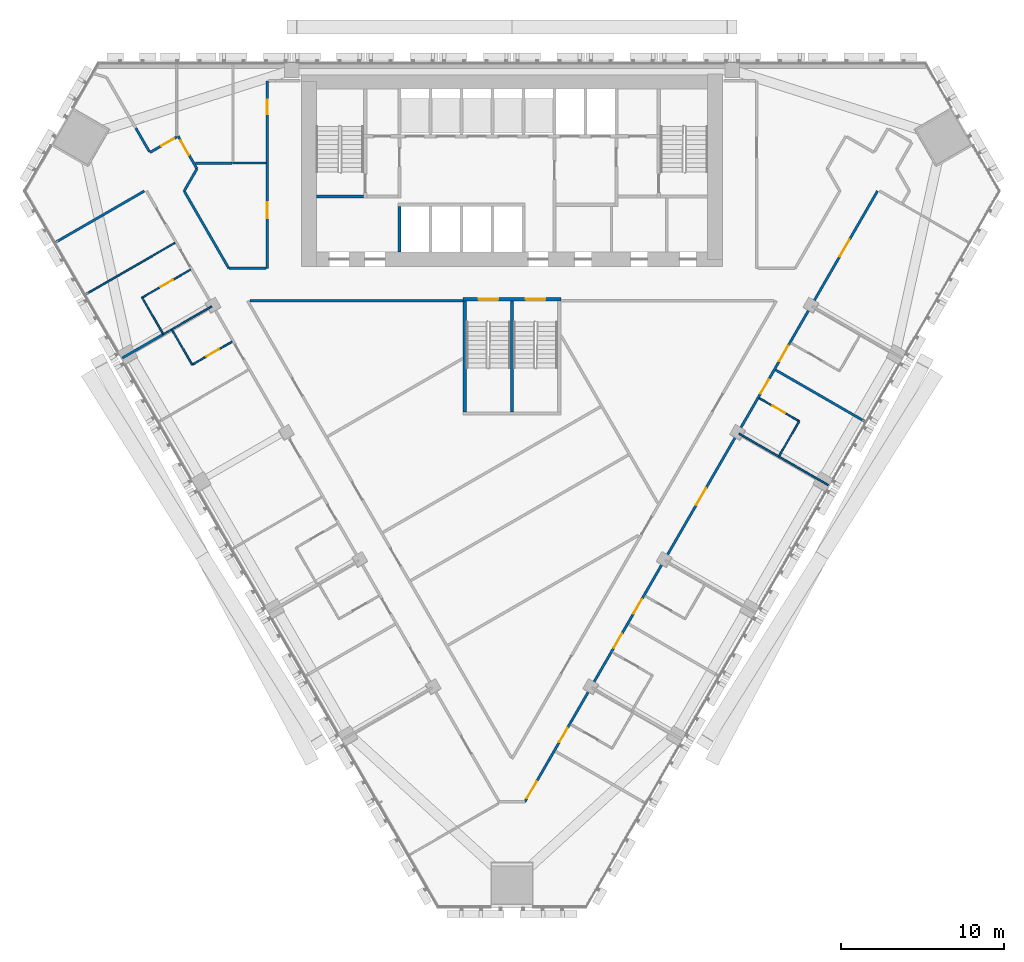
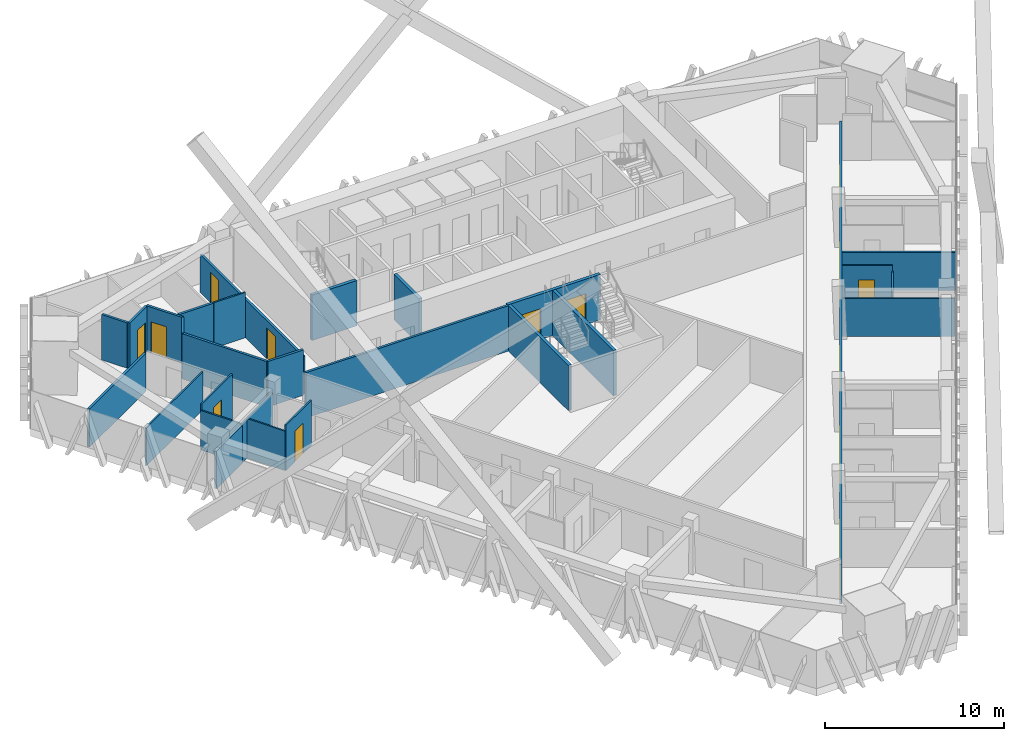
# One storey, part 13 of 19: 28 walls, 17 doors, 17 openings.
"""IFC4 building model written with IfcOpenShell, lengths in metres."""

from ifc_helpers import new_model, si_unit, direction, frame, frame_2d, origin, place, context, subcontext, project, spatial, rectangle, extrude, material, layer, layer_set, type_object, element, fill, save


model = new_model("IFC4")

# Units and contexts
model_context = context("Model", 3, precision=1e-05, world=origin(), true_north=direction((0.0, 1.0)))
body_context = subcontext(model_context, "Body", "Model", "MODEL_VIEW")
ifc_project = project(units=[si_unit("LENGTHUNIT", "METRE"), si_unit("AREAUNIT", "SQUARE_METRE"), si_unit("VOLUMEUNIT", "CUBIC_METRE"), si_unit("PLANEANGLEUNIT", "RADIAN"), si_unit("MASSUNIT", "GRAM", prefix="KILO")], contexts=[model_context])

# Site, building, storey
site_placement = place(None, origin())
site = spatial("IfcSite", under=ifc_project, at=site_placement, CompositionType="ELEMENT")
building_placement = place(site_placement, origin())
building = spatial("IfcBuilding", under=site, at=building_placement, Name="Altiplano Prism Tower", CompositionType="ELEMENT")
storey_placement = place(building_placement, frame((0.0, 0.0, 70.199951171875)))
storey = spatial("IfcBuildingStorey", under=building, at=storey_placement, Name="L17", CompositionType="ELEMENT", Elevation=70.199951171875)

# Wall
ifc_material_1 = material(Name="Plasterboard on steel stud", Category="steel")
ifc_layer_1 = layer(ifc_material_1, 0.10009765625)
ifc_layer_set_1 = layer_set([ifc_layer_1], Name="Plasterboard on steel stud")
wall_type_1 = type_object("IfcWallType", Name="Partition 100 unit", PredefinedType="PARTITIONING", material=ifc_layer_set_1)
wall_1_placement = place(storey_placement, frame((63.583984375, 88.4189453125, 0.0), z_axis=(0.0, 0.0, 1.0), x_axis=(-0.50001820224, 0.866014894461, 0.0)))
element("IfcWall", 1, at=wall_1_placement, inside=storey, type_object=wall_type_1, Name="Partition P02 L17 039", PredefinedType="PARTITIONING", context=body_context, shape_type="SweptSolid", body=[
    extrude(rectangle(XDim=2.52490234375, YDim=0.10009765625, at=frame_2d((1.262451171875, 0.0))), origin(), (0.0, 0.0, 1.0), 2.699951171875),
])

# Wall, opening, door
wall_2_placement = place(storey_placement, frame((62.321533203125, 90.60546875, 0.0), z_axis=(0.0, 0.0, 1.0), x_axis=(0.866001587311, 0.500041249073, 0.0)))
wall_2 = element("IfcWall", 2, at=wall_2_placement, inside=storey, type_object=wall_type_1, Name="Partition P02 L17 040", PredefinedType="PARTITIONING", context=body_context, shape_type="SweptSolid", body=[
    extrude(rectangle(XDim=3.425048828125, YDim=0.10009765625, at=frame_2d((1.71240234375, 0.0))), origin(), (0.0, 0.0, 1.0), 3.10009765625),
])
opening_1_placement = place(wall_2_placement, frame((1.300048828125, 0.0, 0.0)))
opening_1 = element("IfcOpeningElement", 3, at=opening_1_placement, cuts=wall_2, Name="Opening D0652", PredefinedType="OPENING", context=body_context, shape_type="SweptSolid", body=[
    extrude(rectangle(XDim=0.89990234375, YDim=2.10009765625, at=frame_2d((0.449951171875, 1.050048828125))), frame((0.0, 0.060546875, 0.0), z_axis=(0.0, -1.0, 0.0), x_axis=(1.0, 0.0, 0.0)), (0.0, 0.0, 1.0), 0.12109375),
])
ifc_material_2 = material(Name="Timber", Category="wood")
door_type_1 = type_object("IfcDoorType", Name="Accessible ensuite door 900 x 2100", OperationType="NOTDEFINED", PredefinedType="NOTDEFINED", material=ifc_material_2)
door_1_placement = place(opening_1_placement, origin())
door_1 = element("IfcDoor", 4, at=door_1_placement, inside=storey, type_object=door_type_1, Name="Door D0652", OperationType="SINGLE_SWING_RIGHT", OverallHeight=2.10009765625, OverallWidth=0.89990234375, PredefinedType="NOTDEFINED", context=body_context, shape_type="SweptSolid", body=[
    extrude(rectangle(XDim=0.89990234375, YDim=2.10009765625, at=frame_2d((0.449951171875, 1.050048828125))), frame((0.0, 0.02490234375, 0.0), z_axis=(0.0, -1.0, 0.0), x_axis=(1.0, 0.0, 0.0)), (0.0, 0.0, 1.0), 0.050048828125),
])
fill(opening_1, door_1)

wall_3_placement = place(storey_placement, frame((67.837646484375, 87.9013671875, 0.0), z_axis=(0.0, 0.0, 1.0), x_axis=(-0.866011447264, -0.500024172624, 0.0)))
wall_3 = element("IfcWall", 5, at=wall_3_placement, inside=storey, type_object=wall_type_1, Name="Partition P02 L17 043", PredefinedType="PARTITIONING", context=body_context, shape_type="SweptSolid", body=[
    extrude(rectangle(XDim=2.824951171875, YDim=0.10009765625, at=frame_2d((1.41259765625, 0.0))), origin(), (0.0, 0.0, 1.0), 3.10009765625),
])
opening_2_placement = place(wall_3_placement, frame((0.925048828125, 0.0, 0.0)))
opening_2 = element("IfcOpeningElement", 6, at=opening_2_placement, cuts=wall_3, Name="Opening D0654", PredefinedType="OPENING", context=body_context, shape_type="SweptSolid", body=[
    extrude(rectangle(XDim=0.89990234375, YDim=2.10009765625, at=frame_2d((0.449951171875, 1.050048828125))), frame((0.0, 0.060546875, 0.0), z_axis=(0.0, -1.0, 0.0), x_axis=(1.0, 0.0, 0.0)), (0.0, 0.0, 1.0), 0.12109375),
])
door_type_2 = type_object("IfcDoorType", Name="Ensuite door 900 x 2100", OperationType="NOTDEFINED", PredefinedType="NOTDEFINED", material=ifc_material_2)
door_2_placement = place(opening_2_placement, origin())
door_2 = element("IfcDoor", 7, at=door_2_placement, inside=storey, type_object=door_type_2, Name="Door D0654", OperationType="SINGLE_SWING_LEFT", OverallHeight=2.10009765625, OverallWidth=0.89990234375, PredefinedType="NOTDEFINED", context=body_context, shape_type="SweptSolid", body=[
    extrude(rectangle(XDim=0.89990234375, YDim=2.10009765625, at=frame_2d((0.449951171875, 1.050048828125))), frame((0.0, 0.02490234375, 0.0), z_axis=(0.0, -1.0, 0.0), x_axis=(1.0, 0.0, 0.0)), (0.0, 0.0, 1.0), 0.050048828125),
])
fill(opening_2, door_2)

# Wall
wall_4_placement = place(storey_placement, frame((65.39111328125, 86.48876953125, 0.0), z_axis=(0.0, 0.0, 1.0), x_axis=(-0.500018594424, 0.866014668023, 0.0)))
element("IfcWall", 8, at=wall_4_placement, inside=storey, type_object=wall_type_1, Name="Partition P02 L17 044", PredefinedType="PARTITIONING", context=body_context, shape_type="SweptSolid", body=[
    extrude(rectangle(XDim=2.4501953125, YDim=0.10009765625, at=frame_2d((1.22509765625, 0.0))), origin(), (0.0, 0.0, 1.0), 2.699951171875),
])

# Wall, opening, door
wall_5_placement = place(storey_placement, frame((100.162353515625, 84.437255859375, 0.0), z_axis=(0.0, 0.0, 1.0), x_axis=(0.866011447264, -0.500024172624, 0.0)))
wall_5 = element("IfcWall", 9, at=wall_5_placement, inside=storey, type_object=wall_type_1, Name="Partition P02 L17 068", PredefinedType="PARTITIONING", context=body_context, shape_type="SweptSolid", body=[
    extrude(rectangle(XDim=2.824951171875, YDim=0.10009765625, at=frame_2d((1.41259765625, 0.0))), origin(), (0.0, 0.0, 1.0), 3.10009765625),
])
opening_3_placement = place(wall_5_placement, frame((0.925048828125, 0.0, 0.0)))
opening_3 = element("IfcOpeningElement", 10, at=opening_3_placement, cuts=wall_5, Name="Opening D0671", PredefinedType="OPENING", context=body_context, shape_type="SweptSolid", body=[
    extrude(rectangle(XDim=0.89990234375, YDim=2.10009765625, at=frame_2d((0.449951171875, 1.050048828125))), frame((0.0, 0.060546875, 0.0), z_axis=(0.0, -1.0, 0.0), x_axis=(1.0, 0.0, 0.0)), (0.0, 0.0, 1.0), 0.12109375),
])
door_3_placement = place(opening_3_placement, origin())
door_3 = element("IfcDoor", 11, at=door_3_placement, inside=storey, type_object=door_type_2, Name="Door D0671", OperationType="SINGLE_SWING_LEFT", OverallHeight=2.10009765625, OverallWidth=0.89990234375, PredefinedType="NOTDEFINED", context=body_context, shape_type="SweptSolid", body=[
    extrude(rectangle(XDim=0.89990234375, YDim=2.10009765625, at=frame_2d((0.449951171875, 1.050048828125))), frame((0.0, 0.02490234375, 0.0), z_axis=(0.0, -1.0, 0.0), x_axis=(1.0, 0.0, 0.0)), (0.0, 0.0, 1.0), 0.050048828125),
])
fill(opening_3, door_3)

# Walls
wall_6_placement = place(storey_placement, frame((102.60888671875, 83.024658203125, 0.0), z_axis=(0.0, 0.0, 1.0), x_axis=(-0.499987006516, -0.866032905446, 0.0)))
element("IfcWall", 12, at=wall_6_placement, inside=storey, type_object=wall_type_1, Name="Partition P02 L17 069", PredefinedType="PARTITIONING", context=body_context, shape_type="SweptSolid", body=[
    extrude(rectangle(XDim=2.44970703125, YDim=0.10009765625, at=frame_2d((1.224853515625, 0.0))), origin(), (0.0, 0.0, 1.0), 2.699951171875),
])
ifc_layer_2 = layer(ifc_material_1, 0.10009765625)
ifc_layer_set_2 = layer_set([ifc_layer_2], Name="Plasterboard on steel stud")
wall_type_2 = type_object("IfcWallType", Name="Partition 100 wet", PredefinedType="PARTITIONING", material=ifc_layer_set_2)
wall_7_placement = place(storey_placement, frame((67.87255859375, 98.85546875, 0.0), z_axis=(0.0, 0.0, 1.0), x_axis=(1.0, 0.0, 0.0)))
element("IfcWall", 13, at=wall_7_placement, inside=storey, type_object=wall_type_2, Name="Partition P03 L17 032", PredefinedType="PARTITIONING", context=body_context, shape_type="SweptSolid", body=[
    extrude(rectangle(XDim=2.052490234375, YDim=0.10009765625, at=frame_2d((1.0263671875, 0.0))), origin(), (0.0, 0.0, 1.0), 3.10009765625),
])
wall_8_placement = place(storey_placement, frame((58.842529296875, 90.791015625, 0.0), z_axis=(0.0, 0.0, 1.0), x_axis=(0.866025401434, 0.500000004071, 0.0)))
element("IfcWall", 14, at=wall_8_placement, inside=storey, type_object=wall_type_2, Name="Partition P03 L17 038", PredefinedType="PARTITIONING", context=body_context, shape_type="SweptSolid", body=[
    extrude(rectangle(XDim=6.34521484375, YDim=0.10009765625, at=frame_2d((3.172607421875, 0.0))), origin(), (0.0, 0.0, 1.0), 2.60009765625),
])
wall_9_placement = place(storey_placement, frame((63.60400390625, 88.343994140625, 0.0), z_axis=(0.0, 0.0, 1.0), x_axis=(0.866049878924, 0.499957605418, 0.0)))
element("IfcWall", 15, at=wall_9_placement, inside=storey, type_object=wall_type_2, Name="Partition P03 L17 042", PredefinedType="PARTITIONING", context=body_context, shape_type="SweptSolid", body=[
    extrude(rectangle(XDim=3.445068359375, YDim=0.10009765625, at=frame_2d((1.72265625, 0.0))), origin(), (0.0, 0.0, 1.0), 2.699951171875),
])
wall_10_placement = place(storey_placement, frame((104.39013671875, 79.109619140625, 0.0), z_axis=(0.0, 0.0, 1.0), x_axis=(-0.866025537322, 0.499999768706, 0.0)))
element("IfcWall", 16, at=wall_10_placement, inside=storey, type_object=wall_type_2, Name="Partition P03 L17 067", PredefinedType="PARTITIONING", context=body_context, shape_type="SweptSolid", body=[
    extrude(rectangle(XDim=6.3251953125, YDim=0.10009765625, at=frame_2d((3.16259765625, 0.0))), origin(), (0.0, 0.0, 1.0), 2.60009765625),
])

# Wall, opening, door
ifc_layer_3 = layer(ifc_material_1, 0.14990234375)
ifc_layer_set_3 = layer_set([ifc_layer_3], Name="Plasterboard on steel stud")
wall_type_3 = type_object("IfcWallType", Name="Partition 150 corridor", PredefinedType="PARTITIONING", material=ifc_layer_set_3)
wall_11_placement = place(storey_placement, frame((64.446533203125, 100.45263671875, 0.0), z_axis=(0.0, 0.0, 1.0), x_axis=(-0.865753934511, -0.500469904069, 0.0)))
wall_11 = element("IfcWall", 17, at=wall_11_placement, inside=storey, type_object=wall_type_3, Name="Partition P06 L17 003", PredefinedType="PARTITIONING", context=body_context, shape_type="SweptSolid", body=[
    extrude(rectangle(XDim=1.903564453125, YDim=0.14990234375, at=frame_2d((0.95166015625, 0.0))), origin(), (0.0, 0.0, 1.0), 3.10009765625),
])
opening_4_placement = place(wall_11_placement, frame((0.199951171875, 0.0, 0.0)))
opening_4 = element("IfcOpeningElement", 18, at=opening_4_placement, cuts=wall_11, Name="Opening D0647", PredefinedType="OPENING", context=body_context, shape_type="SweptSolid", body=[
    extrude(rectangle(XDim=0.89990234375, YDim=2.10009765625, at=frame_2d((0.449951171875, 1.050048828125))), frame((0.0, 0.08544921875, 0.0), z_axis=(0.0, -1.0, 0.0), x_axis=(1.0, 0.0, 0.0)), (0.0, 0.0, 1.0), 0.1708984375),
])
door_type_3 = type_object("IfcDoorType", Name="Toilet door 900 x 2100", OperationType="NOTDEFINED", PredefinedType="NOTDEFINED", material=ifc_material_2)
door_4_placement = place(opening_4_placement, origin())
door_4 = element("IfcDoor", 19, at=door_4_placement, inside=storey, type_object=door_type_3, Name="Door D0647", OperationType="SINGLE_SWING_RIGHT", OverallHeight=2.10009765625, OverallWidth=0.89990234375, PredefinedType="NOTDEFINED", context=body_context, shape_type="SweptSolid", body=[
    extrude(rectangle(XDim=0.89990234375, YDim=2.10009765625, at=frame_2d((0.449951171875, 1.050048828125))), frame((0.0, 0.02490234375, 0.0), z_axis=(0.0, -1.0, 0.0), x_axis=(1.0, 0.0, 0.0)), (0.0, 0.0, 1.0), 0.050048828125),
])
fill(opening_4, door_4)

# Wall
wall_12_placement = place(storey_placement, frame((62.760986328125, 99.56494140625, 0.0), z_axis=(0.0, 0.0, 1.0), x_axis=(-0.50001794124, 0.866015045157, 0.0)))
element("IfcWall", 20, at=wall_12_placement, inside=storey, type_object=wall_type_3, Name="Partition P06 L17 004", PredefinedType="PARTITIONING", context=body_context, shape_type="SweptSolid", body=[
    extrude(rectangle(XDim=1.64501953125, YDim=0.14990234375, at=frame_2d((0.822509765625, 0.0))), origin(), (0.0, 0.0, 1.0), 3.10009765625),
])

# Wall, opening, door
wall_13_placement = place(storey_placement, frame((65.685302734375, 98.5, 0.0), z_axis=(0.0, 0.0, 1.0), x_axis=(-0.500027479704, 0.866009537788, 0.0)))
wall_13 = element("IfcWall", 21, at=wall_13_placement, inside=storey, type_object=wall_type_3, Name="Partition P06 L17 005", PredefinedType="PARTITIONING", context=body_context, shape_type="SweptSolid", body=[
    extrude(rectangle(XDim=2.309326171875, YDim=0.14990234375, at=frame_2d((1.15478515625, 0.0))), origin(), (0.0, 0.0, 1.0), 3.10009765625),
])
opening_5_placement = place(wall_13_placement, frame((0.992919921875, 0.0, 0.0)))
opening_5 = element("IfcOpeningElement", 22, at=opening_5_placement, cuts=wall_13, Name="Opening D0648", PredefinedType="OPENING", context=body_context, shape_type="SweptSolid", body=[
    extrude(rectangle(XDim=1.0, YDim=2.10009765625, at=frame_2d((0.5, 1.050048828125))), frame((0.0, 0.08544921875, 0.0), z_axis=(0.0, -1.0, 0.0), x_axis=(1.0, 0.0, 0.0)), (0.0, 0.0, 1.0), 0.1708984375),
])
door_type_4 = type_object("IfcDoorType", Name="Store door 1000 x 2100", OperationType="NOTDEFINED", PredefinedType="NOTDEFINED", material=ifc_material_2)
door_5_placement = place(opening_5_placement, origin())
door_5 = element("IfcDoor", 23, at=door_5_placement, inside=storey, type_object=door_type_4, Name="Door D0648", OperationType="SINGLE_SWING_LEFT", OverallHeight=2.10009765625, OverallWidth=1.0, PredefinedType="NOTDEFINED", context=body_context, shape_type="SweptSolid", body=[
    extrude(rectangle(XDim=1.0, YDim=2.10009765625, at=frame_2d((0.5, 1.050048828125))), frame((0.0, 0.02490234375, 0.0), z_axis=(0.0, -1.0, 0.0), x_axis=(1.0, 0.0, 0.0)), (0.0, 0.0, 1.0), 0.050048828125),
])
fill(opening_5, door_5)

# Wall, openings, doors
wall_14_placement = place(storey_placement, frame((70.0, 103.89990234375, 0.0), z_axis=(0.0, 0.0, 1.0), x_axis=(0.0, -1.0, 0.0)))
wall_14 = element("IfcWall", 24, at=wall_14_placement, inside=storey, type_object=wall_type_3, Name="Partition P06 L17 006", PredefinedType="PARTITIONING", context=body_context, shape_type="SweptSolid", body=[
    extrude(rectangle(XDim=11.5, YDim=0.14990234375, at=frame_2d((5.75, 0.0))), origin(), (0.0, 0.0, 1.0), 2.60009765625),
])
opening_6_placement = place(wall_14_placement, frame((1.156005859375, 0.0, 0.0)))
opening_6 = element("IfcOpeningElement", 25, at=opening_6_placement, cuts=wall_14, Name="Opening D0646", PredefinedType="OPENING", context=body_context, shape_type="SweptSolid", body=[
    extrude(rectangle(XDim=0.89990234375, YDim=2.10009765625, at=frame_2d((0.449951171875, 1.050048828125))), frame((0.0, 0.08544921875, 0.0), z_axis=(0.0, -1.0, 0.0), x_axis=(1.0, 0.0, 0.0)), (0.0, 0.0, 1.0), 0.1708984375),
])
opening_7_placement = place(wall_14_placement, frame((7.43505859375, 0.0, 0.0)))
opening_7 = element("IfcOpeningElement", 26, at=opening_7_placement, cuts=wall_14, Name="Opening D0649", PredefinedType="OPENING", context=body_context, shape_type="SweptSolid", body=[
    extrude(rectangle(XDim=1.0, YDim=2.10009765625, at=frame_2d((0.5, 1.050048828125))), frame((0.0, 0.08544921875, 0.0), z_axis=(0.0, -1.0, 0.0), x_axis=(1.0, 0.0, 0.0)), (0.0, 0.0, 1.0), 0.1708984375),
])
door_6_placement = place(opening_7_placement, origin())
door_6 = element("IfcDoor", 27, at=door_6_placement, inside=storey, type_object=door_type_4, Name="Door D0649", OperationType="SINGLE_SWING_RIGHT", OverallHeight=2.10009765625, OverallWidth=1.0, PredefinedType="NOTDEFINED", context=body_context, shape_type="SweptSolid", body=[
    extrude(rectangle(XDim=1.0, YDim=2.10009765625, at=frame_2d((0.5, 1.050048828125))), frame((0.0, 0.02490234375, 0.0), z_axis=(0.0, -1.0, 0.0), x_axis=(1.0, 0.0, 0.0)), (0.0, 0.0, 1.0), 0.050048828125),
])
fill(opening_7, door_6)
door_7_placement = place(opening_6_placement, origin())
door_7 = element("IfcDoor", 28, at=door_7_placement, inside=storey, type_object=door_type_3, Name="Door D0646", OperationType="SINGLE_SWING_LEFT", OverallHeight=2.10009765625, OverallWidth=0.89990234375, PredefinedType="NOTDEFINED", context=body_context, shape_type="SweptSolid", body=[
    extrude(rectangle(XDim=0.89990234375, YDim=2.10009765625, at=frame_2d((0.449951171875, 1.050048828125))), frame((0.0, 0.02490234375, 0.0), z_axis=(0.0, -1.0, 0.0), x_axis=(1.0, 0.0, 0.0)), (0.0, 0.0, 1.0), 0.050048828125),
])
fill(opening_6, door_7)

# Walls
wall_15_placement = place(storey_placement, frame((69.925048828125, 92.39990234375, 0.0), z_axis=(0.0, 0.0, 1.0), x_axis=(-1.0, 0.0, 0.0)))
element("IfcWall", 29, at=wall_15_placement, inside=storey, type_object=wall_type_3, Name="Partition P06 L17 007", PredefinedType="PARTITIONING", context=body_context, shape_type="SweptSolid", body=[
    extrude(rectangle(XDim=2.288818359375, YDim=0.14990234375, at=frame_2d((1.14453125, 0.0))), origin(), (0.0, 0.0, 1.0), 3.10009765625),
])
wall_16_placement = place(storey_placement, frame((67.63623046875, 92.39990234375, 0.0), z_axis=(0.0, 0.0, 1.0), x_axis=(-0.499977311951, 0.866038502339, 0.0)))
element("IfcWall", 30, at=wall_16_placement, inside=storey, type_object=wall_type_3, Name="Partition P06 L17 008", PredefinedType="PARTITIONING", context=body_context, shape_type="SweptSolid", body=[
    extrude(rectangle(XDim=5.472900390625, YDim=0.14990234375, at=frame_2d((2.736328125, 0.0))), origin(), (0.0, 0.0, 1.0), 3.10009765625),
])
wall_17_placement = place(storey_placement, frame((64.89990234375, 97.1396484375, 0.0), z_axis=(0.0, 0.0, 1.0), x_axis=(0.500000501253, 0.866025114386, 0.0)))
element("IfcWall", 31, at=wall_17_placement, inside=storey, type_object=wall_type_3, Name="Partition P06 L17 009", PredefinedType="PARTITIONING", context=body_context, shape_type="SweptSolid", body=[
    extrude(rectangle(XDim=1.57080078125, YDim=0.14990234375, at=frame_2d((0.785400390625, 0.0))), origin(), (0.0, 0.0, 1.0), 3.10009765625),
])

# Wall, openings, doors
wall_18_placement = place(storey_placement, frame((85.785400390625, 59.685546875, 0.0), z_axis=(0.0, 0.0, 1.0), x_axis=(0.500002288388, 0.866024082579, 0.0)))
wall_18 = element("IfcWall", 32, at=wall_18_placement, inside=storey, type_object=wall_type_3, Name="Partition P06 L17 012", PredefinedType="PARTITIONING", context=body_context, shape_type="SweptSolid", body=[
    extrude(rectangle(XDim=43.248291015625, YDim=0.14990234375, at=frame_2d((21.6240234375, 0.0))), origin(), (0.0, 0.0, 1.0), 2.699951171875),
])
opening_8_placement = place(wall_18_placement, frame((0.256103515625, 0.0, 0.0)))
opening_8 = element("IfcOpeningElement", 33, at=opening_8_placement, cuts=wall_18, Name="Opening D0662", PredefinedType="OPENING", context=body_context, shape_type="SweptSolid", body=[
    extrude(rectangle(XDim=1.199951171875, YDim=2.10009765625, at=frame_2d((0.60009765625, 1.050048828125))), frame((0.0, 0.08544921875, 0.0), z_axis=(0.0, -1.0, 0.0), x_axis=(1.0, 0.0, 0.0)), (0.0, 0.0, 1.0), 0.1708984375),
])
opening_9_placement = place(wall_18_placement, frame((4.22900390625, 0.0, 0.0)))
opening_9 = element("IfcOpeningElement", 34, at=opening_9_placement, cuts=wall_18, Name="Opening D0663", PredefinedType="OPENING", context=body_context, shape_type="SweptSolid", body=[
    extrude(rectangle(XDim=1.0, YDim=2.10009765625, at=frame_2d((0.5, 1.050048828125))), frame((0.0, 0.08544921875, 0.0), z_axis=(0.0, -1.0, 0.0), x_axis=(1.0, 0.0, 0.0)), (0.0, 0.0, 1.0), 0.1708984375),
])
opening_10_placement = place(wall_18_placement, frame((10.904052734375, 0.0, 0.0)))
opening_10 = element("IfcOpeningElement", 35, at=opening_10_placement, cuts=wall_18, Name="Opening D0665", PredefinedType="OPENING", context=body_context, shape_type="SweptSolid", body=[
    extrude(rectangle(XDim=1.0, YDim=2.10009765625, at=frame_2d((0.5, 1.050048828125))), frame((0.0, 0.08544921875, 0.0), z_axis=(0.0, -1.0, 0.0), x_axis=(1.0, 0.0, 0.0)), (0.0, 0.0, 1.0), 0.1708984375),
])
opening_11_placement = place(wall_18_placement, frame((13.344970703125, 0.0, 0.0)))
opening_11 = element("IfcOpeningElement", 36, at=opening_11_placement, cuts=wall_18, Name="Opening D0667", PredefinedType="OPENING", context=body_context, shape_type="SweptSolid", body=[
    extrude(rectangle(XDim=1.0, YDim=2.10009765625, at=frame_2d((0.5, 1.050048828125))), frame((0.0, 0.08544921875, 0.0), z_axis=(0.0, -1.0, 0.0), x_axis=(1.0, 0.0, 0.0)), (0.0, 0.0, 1.0), 0.1708984375),
])
opening_12_placement = place(wall_18_placement, frame((21.02392578125, 0.0, 0.0)))
opening_12 = element("IfcOpeningElement", 37, at=opening_12_placement, cuts=wall_18, Name="Opening D0669", PredefinedType="OPENING", context=body_context, shape_type="SweptSolid", body=[
    extrude(rectangle(XDim=1.199951171875, YDim=2.10009765625, at=frame_2d((0.60009765625, 1.050048828125))), frame((0.0, 0.08544921875, 0.0), z_axis=(0.0, -1.0, 0.0), x_axis=(1.0, 0.0, 0.0)), (0.0, 0.0, 1.0), 0.1708984375),
])
opening_13_placement = place(wall_18_placement, frame((28.904052734375, 0.0, 0.0)))
opening_13 = element("IfcOpeningElement", 38, at=opening_13_placement, cuts=wall_18, Name="Opening D0670", PredefinedType="OPENING", context=body_context, shape_type="SweptSolid", body=[
    extrude(rectangle(XDim=1.0, YDim=2.10009765625, at=frame_2d((0.5, 1.050048828125))), frame((0.0, 0.08544921875, 0.0), z_axis=(0.0, -1.0, 0.0), x_axis=(1.0, 0.0, 0.0)), (0.0, 0.0, 1.0), 0.1708984375),
])
opening_14_placement = place(wall_18_placement, frame((31.195068359375, 0.0, 0.0)))
opening_14 = element("IfcOpeningElement", 39, at=opening_14_placement, cuts=wall_18, Name="Opening D0672", PredefinedType="OPENING", context=body_context, shape_type="SweptSolid", body=[
    extrude(rectangle(XDim=1.10009765625, YDim=2.10009765625, at=frame_2d((0.550048828125, 1.050048828125))), frame((0.0, 0.08544921875, 0.0), z_axis=(0.0, -1.0, 0.0), x_axis=(1.0, 0.0, 0.0)), (0.0, 0.0, 1.0), 0.1708984375),
])
opening_15_placement = place(wall_18_placement, frame((38.617919921875, 0.0, 0.0)))
opening_15 = element("IfcOpeningElement", 40, at=opening_15_placement, cuts=wall_18, Name="Opening D0674", PredefinedType="OPENING", context=body_context, shape_type="SweptSolid", body=[
    extrude(rectangle(XDim=1.199951171875, YDim=2.10009765625, at=frame_2d((0.60009765625, 1.050048828125))), frame((0.0, 0.08544921875, 0.0), z_axis=(0.0, -1.0, 0.0), x_axis=(1.0, 0.0, 0.0)), (0.0, 0.0, 1.0), 0.1708984375),
])
door_type_5 = type_object("IfcDoorType", Name="Accessible bedroom door 1100 x 2100", OperationType="NOTDEFINED", PredefinedType="NOTDEFINED", material=ifc_material_2)
door_8_placement = place(opening_14_placement, origin())
door_8 = element("IfcDoor", 41, at=door_8_placement, inside=storey, type_object=door_type_5, Name="Door D0672", OperationType="SINGLE_SWING_LEFT", OverallHeight=2.10009765625, OverallWidth=1.10009765625, PredefinedType="NOTDEFINED", context=body_context, shape_type="SweptSolid", body=[
    extrude(rectangle(XDim=1.10009765625, YDim=2.10009765625, at=frame_2d((0.550048828125, 1.050048828125))), frame((0.0, 0.02490234375, 0.0), z_axis=(0.0, -1.0, 0.0), x_axis=(1.0, 0.0, 0.0)), (0.0, 0.0, 1.0), 0.050048828125),
])
fill(opening_14, door_8)
door_type_6 = type_object("IfcDoorType", Name="Bedroom entrance door 1000 x 2100", OperationType="NOTDEFINED", PredefinedType="NOTDEFINED", material=ifc_material_2)
door_9_placement = place(opening_9_placement, origin())
door_9 = element("IfcDoor", 42, at=door_9_placement, inside=storey, type_object=door_type_6, Name="Door D0663", OperationType="SINGLE_SWING_RIGHT", OverallHeight=2.10009765625, OverallWidth=1.0, PredefinedType="NOTDEFINED", context=body_context, shape_type="SweptSolid", body=[
    extrude(rectangle(XDim=1.0, YDim=2.10009765625, at=frame_2d((0.5, 1.050048828125))), frame((0.0, 0.02490234375, 0.0), z_axis=(0.0, -1.0, 0.0), x_axis=(1.0, 0.0, 0.0)), (0.0, 0.0, 1.0), 0.050048828125),
])
fill(opening_9, door_9)
door_10_placement = place(opening_10_placement, origin())
door_10 = element("IfcDoor", 43, at=door_10_placement, inside=storey, type_object=door_type_6, Name="Door D0665", OperationType="SINGLE_SWING_LEFT", OverallHeight=2.10009765625, OverallWidth=1.0, PredefinedType="NOTDEFINED", context=body_context, shape_type="SweptSolid", body=[
    extrude(rectangle(XDim=1.0, YDim=2.10009765625, at=frame_2d((0.5, 1.050048828125))), frame((0.0, 0.02490234375, 0.0), z_axis=(0.0, -1.0, 0.0), x_axis=(1.0, 0.0, 0.0)), (0.0, 0.0, 1.0), 0.050048828125),
])
fill(opening_10, door_10)
door_11_placement = place(opening_11_placement, origin())
door_11 = element("IfcDoor", 44, at=door_11_placement, inside=storey, type_object=door_type_6, Name="Door D0667", OperationType="SINGLE_SWING_RIGHT", OverallHeight=2.10009765625, OverallWidth=1.0, PredefinedType="NOTDEFINED", context=body_context, shape_type="SweptSolid", body=[
    extrude(rectangle(XDim=1.0, YDim=2.10009765625, at=frame_2d((0.5, 1.050048828125))), frame((0.0, 0.02490234375, 0.0), z_axis=(0.0, -1.0, 0.0), x_axis=(1.0, 0.0, 0.0)), (0.0, 0.0, 1.0), 0.050048828125),
])
fill(opening_11, door_11)
door_12_placement = place(opening_13_placement, origin())
door_12 = element("IfcDoor", 45, at=door_12_placement, inside=storey, type_object=door_type_6, Name="Door D0670", OperationType="SINGLE_SWING_RIGHT", OverallHeight=2.10009765625, OverallWidth=1.0, PredefinedType="NOTDEFINED", context=body_context, shape_type="SweptSolid", body=[
    extrude(rectangle(XDim=1.0, YDim=2.10009765625, at=frame_2d((0.5, 1.050048828125))), frame((0.0, 0.02490234375, 0.0), z_axis=(0.0, -1.0, 0.0), x_axis=(1.0, 0.0, 0.0)), (0.0, 0.0, 1.0), 0.050048828125),
])
fill(opening_13, door_12)
door_type_7 = type_object("IfcDoorType", Name="Shared room door 1200 x 2100", OperationType="NOTDEFINED", PredefinedType="NOTDEFINED", material=ifc_material_2)
door_13_placement = place(opening_8_placement, origin())
door_13 = element("IfcDoor", 46, at=door_13_placement, inside=storey, type_object=door_type_7, Name="Door D0662", OperationType="SINGLE_SWING_LEFT", OverallHeight=2.10009765625, OverallWidth=1.199951171875, PredefinedType="NOTDEFINED", context=body_context, shape_type="SweptSolid", body=[
    extrude(rectangle(XDim=1.199951171875, YDim=2.10009765625, at=frame_2d((0.60009765625, 1.050048828125))), frame((0.0, 0.02490234375, 0.0), z_axis=(0.0, -1.0, 0.0), x_axis=(1.0, 0.0, 0.0)), (0.0, 0.0, 1.0), 0.050048828125),
])
fill(opening_8, door_13)
door_14_placement = place(opening_12_placement, origin())
door_14 = element("IfcDoor", 47, at=door_14_placement, inside=storey, type_object=door_type_7, Name="Door D0669", OperationType="SINGLE_SWING_RIGHT", OverallHeight=2.10009765625, OverallWidth=1.199951171875, PredefinedType="NOTDEFINED", context=body_context, shape_type="SweptSolid", body=[
    extrude(rectangle(XDim=1.199951171875, YDim=2.10009765625, at=frame_2d((0.60009765625, 1.050048828125))), frame((0.0, 0.02490234375, 0.0), z_axis=(0.0, -1.0, 0.0), x_axis=(1.0, 0.0, 0.0)), (0.0, 0.0, 1.0), 0.050048828125),
])
fill(opening_12, door_14)
door_15_placement = place(opening_15_placement, origin())
door_15 = element("IfcDoor", 48, at=door_15_placement, inside=storey, type_object=door_type_7, Name="Door D0674", OperationType="SINGLE_SWING_LEFT", OverallHeight=2.10009765625, OverallWidth=1.199951171875, PredefinedType="NOTDEFINED", context=body_context, shape_type="SweptSolid", body=[
    extrude(rectangle(XDim=1.199951171875, YDim=2.10009765625, at=frame_2d((0.60009765625, 1.050048828125))), frame((0.0, 0.02490234375, 0.0), z_axis=(0.0, -1.0, 0.0), x_axis=(1.0, 0.0, 0.0)), (0.0, 0.0, 1.0), 0.050048828125),
])
fill(opening_15, door_15)

# Walls
wall_19_placement = place(storey_placement, frame((68.9208984375, 90.39990234375, 0.0), z_axis=(0.0, 0.0, 1.0), x_axis=(1.0, 0.0, 0.0)))
element("IfcWall", 49, at=wall_19_placement, inside=storey, type_object=wall_type_3, Name="Partition P06 L17 030", PredefinedType="PARTITIONING", context=body_context, shape_type="SweptSolid", body=[
    extrude(rectangle(XDim=13.0791015625, YDim=0.14990234375, at=frame_2d((6.53955078125, 0.0))), origin(), (0.0, 0.0, 1.0), 3.10009765625),
])
wall_20_placement = place(storey_placement, frame((56.998291015625, 93.985107421875, 0.0), z_axis=(0.0, 0.0, 1.0), x_axis=(0.866017388547, 0.500013882542, 0.0)))
element("IfcWall", 50, at=wall_20_placement, inside=storey, type_object=wall_type_3, Name="Partition P06 L17 037", PredefinedType="PARTITIONING", context=body_context, shape_type="SweptSolid", body=[
    extrude(rectangle(XDim=6.308837890625, YDim=0.14990234375, at=frame_2d((3.154296875, 0.0))), origin(), (0.0, 0.0, 1.0), 2.60009765625),
])
ifc_layer_4 = layer(ifc_material_1, 0.14990234375)
ifc_layer_set_4 = layer_set([ifc_layer_4], Name="Plasterboard on steel stud")
wall_type_4 = type_object("IfcWallType", Name="Partition 150 party", PredefinedType="PARTITIONING", material=ifc_layer_set_4)
wall_21_placement = place(storey_placement, frame((65.60986328125, 98.85546875, 0.0), z_axis=(0.0, 0.0, 1.0), x_axis=(1.0, 0.0, 0.0)))
element("IfcWall", 51, at=wall_21_placement, inside=storey, type_object=wall_type_4, Name="Partition P01 L17 036", PredefinedType="PARTITIONING", context=body_context, shape_type="SweptSolid", body=[
    extrude(rectangle(XDim=2.232666015625, YDim=0.14990234375, at=frame_2d((1.1162109375, 0.0))), origin(), (0.0, 0.0, 1.0), 3.10009765625),
])
wall_22_placement = place(storey_placement, frame((61.10986328125, 86.90380859375, 0.0), z_axis=(0.0, 0.0, 1.0), x_axis=(0.865996417519, 0.500050202324, 0.0)))
element("IfcWall", 52, at=wall_22_placement, inside=storey, type_object=wall_type_4, Name="Partition P01 L17 041", PredefinedType="PARTITIONING", context=body_context, shape_type="SweptSolid", body=[
    extrude(rectangle(XDim=2.880126953125, YDim=0.14990234375, at=frame_2d((1.43994140625, 0.0))), origin(), (0.0, 0.0, 1.0), 2.60009765625),
])
wall_23_placement = place(storey_placement, frame((106.657470703125, 82.99658203125, 0.0), z_axis=(0.0, 0.0, 1.0), x_axis=(-0.866025401434, 0.500000004071, 0.0)))
element("IfcWall", 53, at=wall_23_placement, inside=storey, type_object=wall_type_4, Name="Partition P01 L17 070", PredefinedType="PARTITIONING", context=body_context, shape_type="SweptSolid", body=[
    extrude(rectangle(XDim=6.34521484375, YDim=0.14990234375, at=frame_2d((3.172607421875, 0.0))), origin(), (0.0, 0.0, 1.0), 2.60009765625),
])
ifc_material_3 = material(Name="Concrete C60/75", Category="concrete")
ifc_layer_5 = layer(ifc_material_3, 0.199951171875)
ifc_layer_set_5 = layer_set([ifc_layer_5], Name="Concrete C60/75")
wall_type_5 = type_object("IfcWallType", Name="Shaft wall 200", PredefinedType="SOLIDWALL", material=ifc_layer_set_5)
wall_24_placement = place(storey_placement, frame((78.10009765625, 93.39990234375, 0.0), z_axis=(0.0, 0.0, 1.0), x_axis=(0.0, 1.0, 0.0)))
element("IfcWall", 54, at=wall_24_placement, inside=storey, type_object=wall_type_5, Name="Shaft wall L17", PredefinedType="SOLIDWALL", context=body_context, shape_type="SweptSolid", body=[
    extrude(rectangle(XDim=2.800048828125, YDim=0.199951171875, at=frame_2d((1.39990234375, 0.0))), origin(), (0.0, 0.0, 1.0), 3.10009765625),
])
ifc_layer_6 = layer(ifc_material_3, 0.199951171875)
ifc_layer_set_6 = layer_set([ifc_layer_6], Name="Concrete C60/75")
wall_type_6 = type_object("IfcWallType", Name="Stair wall 200", PredefinedType="SOLIDWALL", material=ifc_layer_set_6)
wall_25_placement = place(storey_placement, frame((73.0, 96.800048828125, 0.0), z_axis=(0.0, 0.0, 1.0), x_axis=(1.0, 0.0, 0.0)))
element("IfcWall", 55, at=wall_25_placement, inside=storey, type_object=wall_type_6, Name="Stair wall L17", PredefinedType="SOLIDWALL", context=body_context, shape_type="SweptSolid", body=[
    extrude(rectangle(XDim=2.89990234375, YDim=0.199951171875, at=frame_2d((1.449951171875, 0.0))), origin(), (0.0, 0.0, 1.0), 3.10009765625),
])

# Wall, openings, doors
wall_26_placement = place(storey_placement, frame((82.0, 90.5, 0.0), z_axis=(0.0, 0.0, 1.0), x_axis=(1.0, 0.0, 0.0)))
wall_26 = element("IfcWall", 56, at=wall_26_placement, inside=storey, type_object=wall_type_6, Name="Stair 3 wall north L17", PredefinedType="SOLIDWALL", context=body_context, shape_type="SweptSolid", body=[
    extrude(rectangle(XDim=6.0, YDim=0.199951171875, at=frame_2d((3.0, 0.0))), origin(), (0.0, 0.0, 1.0), 3.10009765625),
])
opening_16_placement = place(wall_26_placement, frame((0.949951171875, 0.0, 0.0)))
opening_16 = element("IfcOpeningElement", 57, at=opening_16_placement, cuts=wall_26, Name="Opening D3956", PredefinedType="OPENING", context=body_context, shape_type="SweptSolid", body=[
    extrude(rectangle(XDim=1.199951171875, YDim=2.10009765625, at=frame_2d((0.60009765625, 1.050048828125))), frame((0.0, 0.1103515625, 0.0), z_axis=(0.0, -1.0, 0.0), x_axis=(1.0, 0.0, 0.0)), (0.0, 0.0, 1.0), 0.220947265625),
])
opening_17_placement = place(wall_26_placement, frame((3.85009765625, 0.0, 0.0)))
opening_17 = element("IfcOpeningElement", 58, at=opening_17_placement, cuts=wall_26, Name="Opening D3957", PredefinedType="OPENING", context=body_context, shape_type="SweptSolid", body=[
    extrude(rectangle(XDim=1.199951171875, YDim=2.10009765625, at=frame_2d((0.60009765625, 1.050048828125))), frame((0.0, 0.1103515625, 0.0), z_axis=(0.0, -1.0, 0.0), x_axis=(1.0, 0.0, 0.0)), (0.0, 0.0, 1.0), 0.220947265625),
])
ifc_material_4 = material(Name="Fire-rated steel door", Category="steel")
door_type_8 = type_object("IfcDoorType", Name="Stair fire door 1200 x 2100", OperationType="NOTDEFINED", PredefinedType="NOTDEFINED", material=ifc_material_4)
door_16_placement = place(opening_16_placement, origin())
door_16 = element("IfcDoor", 59, at=door_16_placement, inside=storey, type_object=door_type_8, Name="Stair fire door D3956", OperationType="SINGLE_SWING_LEFT", OverallHeight=2.10009765625, OverallWidth=1.199951171875, PredefinedType="NOTDEFINED", context=body_context, shape_type="SweptSolid", body=[
    extrude(rectangle(XDim=1.199951171875, YDim=2.10009765625, at=frame_2d((0.60009765625, 1.050048828125))), frame((0.0, 0.02490234375, 0.0), z_axis=(0.0, -1.0, 0.0), x_axis=(1.0, 0.0, 0.0)), (0.0, 0.0, 1.0), 0.050048828125),
])
fill(opening_16, door_16)
door_17_placement = place(opening_17_placement, origin())
door_17 = element("IfcDoor", 60, at=door_17_placement, inside=storey, type_object=door_type_8, Name="Stair fire door D3957", OperationType="SINGLE_SWING_LEFT", OverallHeight=2.10009765625, OverallWidth=1.199951171875, PredefinedType="NOTDEFINED", context=body_context, shape_type="SweptSolid", body=[
    extrude(rectangle(XDim=1.199951171875, YDim=2.10009765625, at=frame_2d((0.60009765625, 1.050048828125))), frame((0.0, 0.02490234375, 0.0), z_axis=(0.0, -1.0, 0.0), x_axis=(1.0, 0.0, 0.0)), (0.0, 0.0, 1.0), 0.050048828125),
])
fill(opening_17, door_17)

# Walls
for number, where, z_axis, x_axis, name in (
    (61, (82.10009765625, 83.60009765625, 0.0), (0.0, 0.0, 1.0), (0.0, 1.0, 0.0), "Stair 3 wall west L17"),
    (62, (85.0, 83.60009765625, 0.0), (0.0, 0.0, 1.0), (0.0, 1.0, 0.0), "Stair 3 wall divider L17"),
):
    element("IfcWall", number, at=place(storey_placement, frame(where, z_axis=z_axis, x_axis=x_axis)), inside=storey, type_object=wall_type_6, Name=name, PredefinedType="SOLIDWALL", context=body_context, shape_type="SweptSolid", body=[
        extrude(rectangle(XDim=6.7998046875, YDim=0.199951171875, at=frame_2d((3.39990234375, 0.0))), origin(), (0.0, 0.0, 1.0), 3.10009765625),
    ])

save(model, "model.ifc")
